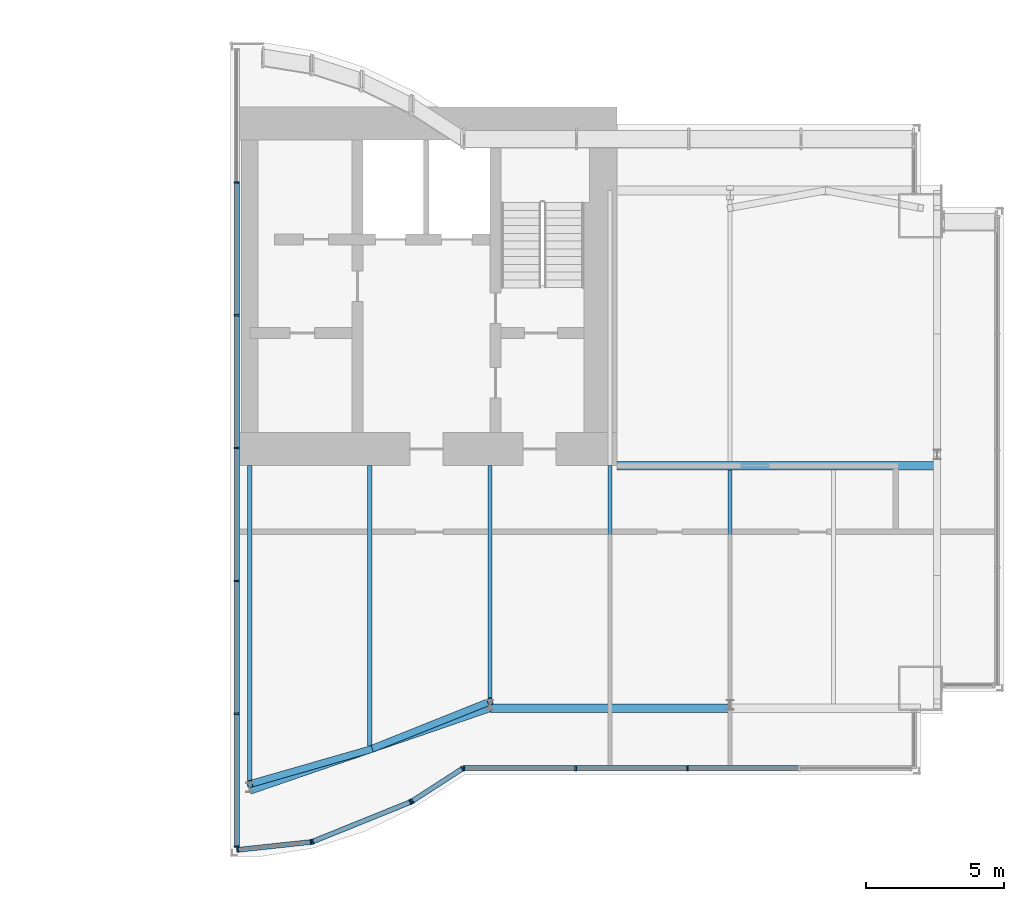
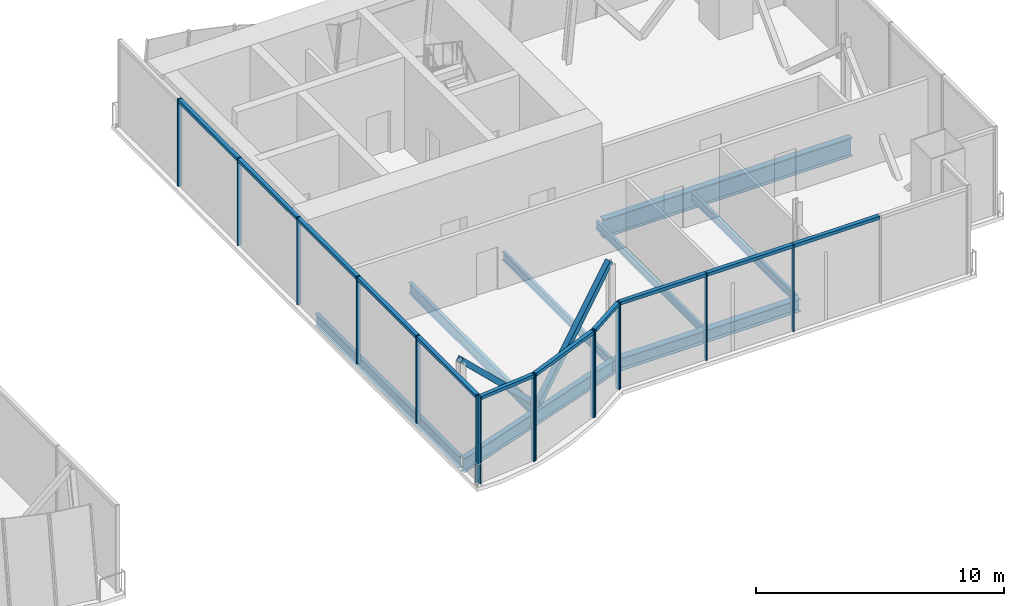
# One storey, part 5 of 14: 28 members, 8 beams, 3 elements without a shape of their own.
"""IFC4 building model written with IfcOpenShell, lengths in metres."""

from ifc_helpers import new_model, si_unit, direction, frame, origin, origin_2d, place, context, subcontext, project, spatial, rectangle, hollow_rectangle, i_section, extrude, material, material_profile, profile_set, type_object, element, aggregate, save


model = new_model("IFC4")

# Units and contexts
model_context = context("Model", 3, precision=1e-05, world=origin(), true_north=direction((0.0, 1.0)))
body_context = subcontext(model_context, "Body", "Model", "MODEL_VIEW")
ifc_project = project(units=[si_unit("LENGTHUNIT", "METRE"), si_unit("AREAUNIT", "SQUARE_METRE"), si_unit("VOLUMEUNIT", "CUBIC_METRE"), si_unit("PLANEANGLEUNIT", "RADIAN"), si_unit("MASSUNIT", "GRAM", prefix="KILO")], contexts=[model_context])

# Site, building, storey
site_placement = place(None, origin())
site = spatial("IfcSite", under=ifc_project, at=site_placement, CompositionType="ELEMENT")
building_placement = place(site_placement, origin())
building = spatial("IfcBuilding", under=site, at=building_placement, Name="Bicima Exchange Tower", CompositionType="ELEMENT")
storey_placement = place(building_placement, frame((0.0, 0.0, 352.39990234375)))
storey = spatial("IfcBuildingStorey", under=building, at=storey_placement, Name="L79", CompositionType="ELEMENT", Elevation=352.39990234375)

# Beam
ifc_material_1 = material(Name="Steel ASTM A992 Gr 50", Category="steel")
ifc_material_profile_1 = material_profile(ifc_material_1, i_section(OverallWidth=0.3046875, OverallDepth=0.911865234375, WebThickness=0.015869140625, FlangeThickness=0.02392578125, at=origin_2d()))
ifc_profile_set_1 = profile_set([ifc_material_profile_1], Name="Steel ASTM A992 Gr 50")
beam_type_1 = type_object("IfcBeamType", Name="Core-line girder W36x150", PredefinedType="BEAM", material=ifc_profile_set_1)
beam_1_placement = place(storey_placement, frame((22.0, -13.0, -0.65576171875), z_axis=(1.0, 0.0, 0.0), x_axis=(0.0, 1.0, 0.0)))
element("IfcBeam", 1, at=beam_1_placement, inside=storey, type_object=beam_type_1, Name="Core-line girder", PredefinedType="BEAM", context=body_context, shape_type="SweptSolid", body=[
    extrude(i_section(OverallWidth=0.3046875, OverallDepth=0.911865234375, WebThickness=0.015869140625, FlangeThickness=0.02392578125, at=origin_2d()), origin(), (0.0, 0.0, 1.0), 11.60009765625),
])

# Curtain wall, members
ifc_material_2 = material(Name="Anodised bronze aluminium", Category="aluminium")
curtain_wall_type = type_object("IfcCurtainWallType", Name="Crown glass wall", PredefinedType="NOTDEFINED", material=ifc_material_2)
curtain_wall_1_placement = place(storey_placement, origin())
curtain_wall_1 = element("IfcCurtainWall", 2, at=curtain_wall_1_placement, inside=storey, type_object=curtain_wall_type, Name="Crown glass wall L79 run 8", PredefinedType="NOTDEFINED")
ifc_material_profile_2 = material_profile(ifc_material_2, rectangle(XDim=0.179931640625, YDim=0.06005859375, at=origin_2d()))
ifc_profile_set_2 = profile_set([ifc_material_profile_2], Name="Anodised bronze aluminium")
member_type_1 = type_object("IfcMemberType", Name="Crown glass wall mullion 60 x 180", PredefinedType="MULLION", material=ifc_profile_set_2)
member_1_placement = place(storey_placement, frame((8.22998046875, -2.741455078125, 0.0), z_axis=(0.0, 0.0, 1.0), x_axis=(1.0, 0.0, 0.0)))
member_1 = element("IfcMember", 3, at=member_1_placement, type_object=member_type_1, Name="Crown glass wall mullion 2", PredefinedType="MULLION", context=body_context, shape_type="SweptSolid", body=[
    extrude(rectangle(XDim=0.179931640625, YDim=0.06005859375, at=origin_2d()), origin(), (0.0, 0.0, 1.0), 4.300048828125),
])
member_2_placement = place(storey_placement, frame((8.22998046875, -7.55322265625, 0.0), z_axis=(0.0, 0.0, 1.0), x_axis=(1.0, 0.0, 0.0)))
member_2 = element("IfcMember", 4, at=member_2_placement, type_object=member_type_1, Name="Crown glass wall mullion 3", PredefinedType="MULLION", context=body_context, shape_type="SweptSolid", body=[
    extrude(rectangle(XDim=0.179931640625, YDim=0.06005859375, at=origin_2d()), origin(), (0.0, 0.0, 1.0), 4.300048828125),
])
member_3_placement = place(storey_placement, frame((8.22998046875, -12.365234375, 0.0), z_axis=(0.0, 0.0, 1.0), x_axis=(1.0, 0.0, 0.0)))
member_3 = element("IfcMember", 5, at=member_3_placement, type_object=member_type_1, Name="Crown glass wall mullion 4", PredefinedType="MULLION", context=body_context, shape_type="SweptSolid", body=[
    extrude(rectangle(XDim=0.179931640625, YDim=0.06005859375, at=origin_2d()), origin(), (0.0, 0.0, 1.0), 4.300048828125),
])
member_4_placement = place(storey_placement, frame((8.22998046875, -17.17724609375, 0.0), z_axis=(0.0, 0.0, 1.0), x_axis=(1.0, 0.0, 0.0)))
member_4 = element("IfcMember", 6, at=member_4_placement, type_object=member_type_1, Name="Crown glass wall mullion 5", PredefinedType="MULLION", context=body_context, shape_type="SweptSolid", body=[
    extrude(rectangle(XDim=0.179931640625, YDim=0.06005859375, at=origin_2d()), origin(), (0.0, 0.0, 1.0), 4.300048828125),
])
member_5_placement = place(storey_placement, frame((8.22998046875, -21.989013671875, 0.0), z_axis=(0.0, 0.0, 1.0), x_axis=(1.0, 0.0, 0.0)))
member_5 = element("IfcMember", 7, at=member_5_placement, type_object=member_type_1, Name="Crown glass wall mullion 6", PredefinedType="MULLION", context=body_context, shape_type="SweptSolid", body=[
    extrude(rectangle(XDim=0.179931640625, YDim=0.06005859375, at=origin_2d()), origin(), (0.0, 0.0, 1.0), 4.300048828125),
])
member_6_placement = place(storey_placement, frame((8.22998046875, -26.801025390625, 0.0), z_axis=(0.0, 0.0, 1.0), x_axis=(1.0, 0.0, 0.0)))
member_6 = element("IfcMember", 8, at=member_6_placement, type_object=member_type_1, Name="Crown glass wall mullion 7", PredefinedType="MULLION", context=body_context, shape_type="SweptSolid", body=[
    extrude(rectangle(XDim=0.179931640625, YDim=0.06005859375, at=origin_2d()), origin(), (0.0, 0.0, 1.0), 4.300048828125),
])

curtain_wall_2_placement = place(storey_placement, origin())
curtain_wall_2 = element("IfcCurtainWall", 9, at=curtain_wall_2_placement, inside=storey, type_object=curtain_wall_type, Name="Crown glass wall L79 run 9", PredefinedType="NOTDEFINED")
member_7_placement = place(storey_placement, frame((8.259765625, -26.917724609375, 0.0), z_axis=(0.0, 0.0, 1.0), x_axis=(-0.106371668434, 0.994326439433, 0.0)))
member_7 = element("IfcMember", 10, at=member_7_placement, type_object=member_type_1, Name="Crown glass wall mullion 1", PredefinedType="MULLION", context=body_context, shape_type="SweptSolid", body=[
    extrude(rectangle(XDim=0.179931640625, YDim=0.06005859375, at=origin_2d()), origin(), (0.0, 0.0, 1.0), 4.300048828125),
])
member_8_placement = place(storey_placement, frame((10.916015625, -26.633544921875, 0.0), z_axis=(0.0, 0.0, 1.0), x_axis=(-0.106371668434, 0.994326439433, 0.0)))
member_8 = element("IfcMember", 11, at=member_8_placement, type_object=member_type_1, Name="Crown glass wall mullion 2", PredefinedType="MULLION", context=body_context, shape_type="SweptSolid", body=[
    extrude(rectangle(XDim=0.179931640625, YDim=0.06005859375, at=origin_2d()), origin(), (0.0, 0.0, 1.0), 4.300048828125),
])
member_9_placement = place(storey_placement, frame((10.973876953125, -26.619140625, 0.0), z_axis=(0.0, 0.0, 1.0), x_axis=(-0.374705304, 0.92714396679, 0.0)))
member_9 = element("IfcMember", 12, at=member_9_placement, type_object=member_type_1, Name="Crown glass wall mullion 1", PredefinedType="MULLION", context=body_context, shape_type="SweptSolid", body=[
    extrude(rectangle(XDim=0.179931640625, YDim=0.06005859375, at=origin_2d()), origin(), (0.0, 0.0, 1.0), 4.300048828125),
])
member_10_placement = place(storey_placement, frame((14.52587890625, -25.18359375, 0.0), z_axis=(0.0, 0.0, 1.0), x_axis=(-0.374705304, 0.92714396679, 0.0)))
member_10 = element("IfcMember", 13, at=member_10_placement, type_object=member_type_1, Name="Crown glass wall mullion 2", PredefinedType="MULLION", context=body_context, shape_type="SweptSolid", body=[
    extrude(rectangle(XDim=0.179931640625, YDim=0.06005859375, at=origin_2d()), origin(), (0.0, 0.0, 1.0), 4.300048828125),
])
member_11_placement = place(storey_placement, frame((14.578857421875, -25.156005859375, 0.0), z_axis=(0.0, 0.0, 1.0), x_axis=(-0.542910648791, 0.839790466384, 0.0)))
member_11 = element("IfcMember", 14, at=member_11_placement, type_object=member_type_1, Name="Crown glass wall mullion 1", PredefinedType="MULLION", context=body_context, shape_type="SweptSolid", body=[
    extrude(rectangle(XDim=0.179931640625, YDim=0.06005859375, at=origin_2d()), origin(), (0.0, 0.0, 1.0), 4.300048828125),
])
member_12_placement = place(storey_placement, frame((16.406982421875, -23.974365234375, 0.0), z_axis=(0.0, 0.0, 1.0), x_axis=(-0.542910648791, 0.839790466384, 0.0)))
member_12 = element("IfcMember", 15, at=member_12_placement, type_object=member_type_1, Name="Crown glass wall mullion 2", PredefinedType="MULLION", context=body_context, shape_type="SweptSolid", body=[
    extrude(rectangle(XDim=0.179931640625, YDim=0.06005859375, at=origin_2d()), origin(), (0.0, 0.0, 1.0), 4.300048828125),
])

curtain_wall_3_placement = place(storey_placement, origin())
curtain_wall_3 = element("IfcCurtainWall", 16, at=curtain_wall_3_placement, inside=storey, type_object=curtain_wall_type, Name="Crown glass wall L79 run 12", PredefinedType="NOTDEFINED")
member_13_placement = place(storey_placement, frame((16.462158203125, -23.9580078125, 0.0), z_axis=(0.0, 0.0, 1.0), x_axis=(0.0, 1.0, 0.0)))
member_13 = element("IfcMember", 17, at=member_13_placement, type_object=member_type_1, Name="Crown glass wall mullion 1", PredefinedType="MULLION", context=body_context, shape_type="SweptSolid", body=[
    extrude(rectangle(XDim=0.179931640625, YDim=0.06005859375, at=origin_2d()), origin(), (0.0, 0.0, 1.0), 4.300048828125),
])
member_14_placement = place(storey_placement, frame((20.509033203125, -23.9580078125, 0.0), z_axis=(0.0, 0.0, 1.0), x_axis=(0.0, 1.0, 0.0)))
member_14 = element("IfcMember", 18, at=member_14_placement, type_object=member_type_1, Name="Crown glass wall mullion 2", PredefinedType="MULLION", context=body_context, shape_type="SweptSolid", body=[
    extrude(rectangle(XDim=0.179931640625, YDim=0.06005859375, at=origin_2d()), origin(), (0.0, 0.0, 1.0), 4.300048828125),
])
member_15_placement = place(storey_placement, frame((24.55615234375, -23.9580078125, 0.0), z_axis=(0.0, 0.0, 1.0), x_axis=(0.0, 1.0, 0.0)))
member_15 = element("IfcMember", 19, at=member_15_placement, type_object=member_type_1, Name="Crown glass wall mullion 3", PredefinedType="MULLION", context=body_context, shape_type="SweptSolid", body=[
    extrude(rectangle(XDim=0.179931640625, YDim=0.06005859375, at=origin_2d()), origin(), (0.0, 0.0, 1.0), 4.300048828125),
])

# Member
ifc_material_profile_3 = material_profile(ifc_material_2, rectangle(XDim=0.179931640625, YDim=0.159912109375, at=origin_2d()))
ifc_profile_set_3 = profile_set([ifc_material_profile_3], Name="Anodised bronze aluminium")
member_type_2 = type_object("IfcMemberType", Name="Crown glass wall transom 160 x 180", PredefinedType="USERDEFINED", material=ifc_profile_set_3)
member_16_placement = place(storey_placement, frame((8.22998046875, -2.771484375, 4.22021484375), z_axis=(0.0, -1.0, 0.0), x_axis=(1.0, 0.0, 0.0)))
member_16 = element("IfcMember", 20, at=member_16_placement, type_object=member_type_2, Name="Crown glass wall transom 2.1", ObjectType="TRANSOM", PredefinedType="USERDEFINED", context=body_context, shape_type="SweptSolid", body=[
    extrude(rectangle(XDim=0.179931640625, YDim=0.159912109375, at=origin_2d()), origin(), (0.0, 0.0, 1.0), 4.751708984375),
])

member_17_placement = place(storey_placement, frame((8.22998046875, -7.583251953125, 4.22021484375), z_axis=(0.0, -1.0, 0.0), x_axis=(1.0, 0.0, 0.0)))
member_17 = element("IfcMember", 21, at=member_17_placement, type_object=member_type_2, Name="Crown glass wall transom 3.1", ObjectType="TRANSOM", PredefinedType="USERDEFINED", context=body_context, shape_type="SweptSolid", body=[
    extrude(rectangle(XDim=0.179931640625, YDim=0.159912109375, at=origin_2d()), origin(), (0.0, 0.0, 1.0), 4.751953125),
])

member_18_placement = place(storey_placement, frame((8.22998046875, -12.395263671875, 4.22021484375), z_axis=(0.0, -1.0, 0.0), x_axis=(1.0, 0.0, 0.0)))
member_18 = element("IfcMember", 22, at=member_18_placement, type_object=member_type_2, Name="Crown glass wall transom 4.1", ObjectType="TRANSOM", PredefinedType="USERDEFINED", context=body_context, shape_type="SweptSolid", body=[
    extrude(rectangle(XDim=0.179931640625, YDim=0.159912109375, at=origin_2d()), origin(), (0.0, 0.0, 1.0), 4.751953125),
])

member_19_placement = place(storey_placement, frame((8.22998046875, -17.207275390625, 4.22021484375), z_axis=(0.0, -1.0, 0.0), x_axis=(1.0, 0.0, 0.0)))
member_19 = element("IfcMember", 23, at=member_19_placement, type_object=member_type_2, Name="Crown glass wall transom 5.1", ObjectType="TRANSOM", PredefinedType="USERDEFINED", context=body_context, shape_type="SweptSolid", body=[
    extrude(rectangle(XDim=0.179931640625, YDim=0.159912109375, at=origin_2d()), origin(), (0.0, 0.0, 1.0), 4.751708984375),
])

member_20_placement = place(storey_placement, frame((8.22998046875, -22.01904296875, 4.22021484375), z_axis=(0.0, -1.0, 0.0), x_axis=(1.0, 0.0, 0.0)))
member_20 = element("IfcMember", 24, at=member_20_placement, type_object=member_type_2, Name="Crown glass wall transom 6.1", ObjectType="TRANSOM", PredefinedType="USERDEFINED", context=body_context, shape_type="SweptSolid", body=[
    extrude(rectangle(XDim=0.179931640625, YDim=0.159912109375, at=origin_2d()), origin(), (0.0, 0.0, 1.0), 4.751953125),
])

aggregate(curtain_wall_1, [member_1, member_2, member_3, member_4, member_5, member_6, member_16, member_17, member_18, member_19, member_20])

member_21_placement = place(storey_placement, frame((8.289794921875, -26.91455078125, 4.22021484375), z_axis=(0.994323646517, 0.106397772425, 0.0), x_axis=(-0.106397772425, 0.994323646517, 0.0)))
member_21 = element("IfcMember", 25, at=member_21_placement, type_object=member_type_2, Name="Crown glass wall transom 1.1", ObjectType="TRANSOM", PredefinedType="USERDEFINED", context=body_context, shape_type="SweptSolid", body=[
    extrude(rectangle(XDim=0.179931640625, YDim=0.159912109375, at=origin_2d()), origin(), (0.0, 0.0, 1.0), 2.611328125),
])

member_22_placement = place(storey_placement, frame((11.001708984375, -26.60791015625, 4.22021484375), z_axis=(0.927140215882, 0.374714584842, 0.0), x_axis=(-0.374714584842, 0.927140215882, 0.0)))
member_22 = element("IfcMember", 26, at=member_22_placement, type_object=member_type_2, Name="Crown glass wall transom 1.1", ObjectType="TRANSOM", PredefinedType="USERDEFINED", context=body_context, shape_type="SweptSolid", body=[
    extrude(rectangle(XDim=0.179931640625, YDim=0.159912109375, at=origin_2d()), origin(), (0.0, 0.0, 1.0), 3.77099609375),
])

member_23_placement = place(storey_placement, frame((14.60400390625, -25.139892578125, 4.22021484375), z_axis=(0.839740302602, 0.542988235771, 0.0), x_axis=(-0.542988235771, 0.839740302602, 0.0)))
member_23 = element("IfcMember", 27, at=member_23_placement, type_object=member_type_2, Name="Crown glass wall transom 1.1", ObjectType="TRANSOM", PredefinedType="USERDEFINED", context=body_context, shape_type="SweptSolid", body=[
    extrude(rectangle(XDim=0.179931640625, YDim=0.159912109375, at=origin_2d()), origin(), (0.0, 0.0, 1.0), 2.116943359375),
])

aggregate(curtain_wall_2, [member_7, member_8, member_21, member_9, member_10, member_22, member_11, member_12, member_23])

member_24_placement = place(storey_placement, frame((16.4921875, -23.9580078125, 4.22021484375), z_axis=(1.0, 0.0, 0.0), x_axis=(0.0, 1.0, 0.0)))
member_24 = element("IfcMember", 28, at=member_24_placement, type_object=member_type_2, Name="Crown glass wall transom 1.1", ObjectType="TRANSOM", PredefinedType="USERDEFINED", context=body_context, shape_type="SweptSolid", body=[
    extrude(rectangle(XDim=0.179931640625, YDim=0.159912109375, at=origin_2d()), origin(), (0.0, 0.0, 1.0), 3.98681640625),
])

member_25_placement = place(storey_placement, frame((20.5390625, -23.9580078125, 4.22021484375), z_axis=(1.0, 0.0, 0.0), x_axis=(0.0, 1.0, 0.0)))
member_25 = element("IfcMember", 29, at=member_25_placement, type_object=member_type_2, Name="Crown glass wall transom 2.1", ObjectType="TRANSOM", PredefinedType="USERDEFINED", context=body_context, shape_type="SweptSolid", body=[
    extrude(rectangle(XDim=0.179931640625, YDim=0.159912109375, at=origin_2d()), origin(), (0.0, 0.0, 1.0), 3.987060546875),
])

member_26_placement = place(storey_placement, frame((24.586181640625, -23.9580078125, 4.22021484375), z_axis=(1.0, 0.0, 0.0), x_axis=(0.0, 1.0, 0.0)))
member_26 = element("IfcMember", 30, at=member_26_placement, type_object=member_type_2, Name="Crown glass wall transom 3.1", ObjectType="TRANSOM", PredefinedType="USERDEFINED", context=body_context, shape_type="SweptSolid", body=[
    extrude(rectangle(XDim=0.179931640625, YDim=0.159912109375, at=origin_2d()), origin(), (0.0, 0.0, 1.0), 3.98681640625),
])

aggregate(curtain_wall_3, [member_13, member_14, member_15, member_24, member_25, member_26])

# Beams
ifc_material_profile_4 = material_profile(ifc_material_1, i_section(OverallWidth=0.140380859375, OverallDepth=0.40380859375, WebThickness=0.007080078125, FlangeThickness=0.01123046875, at=origin_2d()))
ifc_profile_set_4 = profile_set([ifc_material_profile_4], Name="Steel ASTM A992 Gr 50")
beam_type_2 = type_object("IfcBeamType", Name="Floor beam W16x31", PredefinedType="JOIST", material=ifc_profile_set_4)
beam_2_placement = place(storey_placement, frame((17.39990234375, -13.0, -0.40185546875), z_axis=(0.0, -1.0, 0.0), x_axis=(1.0, 0.0, 0.0)))
element("IfcBeam", 31, at=beam_2_placement, inside=storey, type_object=beam_type_2, Name="Floor beam", PredefinedType="JOIST", context=body_context, shape_type="SweptSolid", body=[
    extrude(i_section(OverallWidth=0.140380859375, OverallDepth=0.40380859375, WebThickness=0.007080078125, FlangeThickness=0.01123046875, at=origin_2d()), origin(), (0.0, 0.0, 1.0), 8.65234375),
])
beam_3_placement = place(storey_placement, frame((21.75, -13.0, -0.40185546875), z_axis=(0.0, -1.0, 0.0), x_axis=(1.0, 0.0, 0.0)))
element("IfcBeam", 32, at=beam_3_placement, inside=storey, type_object=beam_type_2, Name="Floor beam", PredefinedType="JOIST", context=body_context, shape_type="SweptSolid", body=[
    extrude(i_section(OverallWidth=0.140380859375, OverallDepth=0.40380859375, WebThickness=0.007080078125, FlangeThickness=0.01123046875, at=origin_2d()), origin(), (0.0, 0.0, 1.0), 8.62548828125),
])
beam_4_placement = place(storey_placement, frame((26.10009765625, -13.15234375, -0.40185546875), z_axis=(0.0, -1.0, 0.0), x_axis=(1.0, 0.0, 0.0)))
element("IfcBeam", 33, at=beam_4_placement, inside=storey, type_object=beam_type_2, Name="Floor beam", PredefinedType="JOIST", context=body_context, shape_type="SweptSolid", body=[
    extrude(i_section(OverallWidth=0.140380859375, OverallDepth=0.40380859375, WebThickness=0.007080078125, FlangeThickness=0.01123046875, at=origin_2d()), origin(), (0.0, 0.0, 1.0), 8.47314453125),
])
ifc_material_profile_5 = material_profile(ifc_material_1, i_section(OverallWidth=0.165771484375, OverallDepth=0.5283203125, WebThickness=0.009765625, FlangeThickness=0.013671875, at=origin_2d()))
ifc_profile_set_5 = profile_set([ifc_material_profile_5], Name="Steel ASTM A992 Gr 50")
beam_type_3 = type_object("IfcBeamType", Name="Floor beam W21x50", PredefinedType="JOIST", material=ifc_profile_set_5)
beam_5_placement = place(storey_placement, frame((13.050048828125, -13.0, -0.464111328125), z_axis=(0.0, -1.0, 0.0), x_axis=(1.0, 0.0, 0.0)))
element("IfcBeam", 34, at=beam_5_placement, inside=storey, type_object=beam_type_3, Name="Floor beam", PredefinedType="JOIST", context=body_context, shape_type="SweptSolid", body=[
    extrude(i_section(OverallWidth=0.165771484375, OverallDepth=0.5283203125, WebThickness=0.009765625, FlangeThickness=0.013671875, at=origin_2d()), origin(), (0.0, 0.0, 1.0), 10.14794921875),
])
ifc_material_profile_6 = material_profile(ifc_material_1, i_section(OverallWidth=0.177978515625, OverallDepth=0.599365234375, WebThickness=0.010009765625, FlangeThickness=0.012939453125, at=origin_2d()))
ifc_profile_set_6 = profile_set([ifc_material_profile_6], Name="Steel ASTM A992 Gr 50")
beam_type_4 = type_object("IfcBeamType", Name="Floor beam W24x55", PredefinedType="JOIST", material=ifc_profile_set_6)
beam_6_placement = place(storey_placement, frame((8.699951171875, -13.0, -0.49951171875), z_axis=(0.0, -1.0, 0.0), x_axis=(1.0, 0.0, 0.0)))
element("IfcBeam", 35, at=beam_6_placement, inside=storey, type_object=beam_type_4, Name="Floor beam", PredefinedType="JOIST", context=body_context, shape_type="SweptSolid", body=[
    extrude(i_section(OverallWidth=0.177978515625, OverallDepth=0.599365234375, WebThickness=0.010009765625, FlangeThickness=0.012939453125, at=origin_2d()), origin(), (0.0, 0.0, 1.0), 11.643310546875),
])
ifc_material_profile_7 = material_profile(ifc_material_1, i_section(OverallWidth=0.3251953125, OverallDepth=0.612060546875, WebThickness=0.0126953125, FlangeThickness=0.01904296875, at=origin_2d()))
ifc_profile_set_7 = profile_set([ifc_material_profile_7], Name="Steel ASTM A992 Gr 50")
beam_type_5 = type_object("IfcBeamType", Name="Front girder W24x104", PredefinedType="BEAM", material=ifc_profile_set_7)
beam_7_placement = place(storey_placement, frame((17.39990234375, -21.7880859375, -0.506103515625), z_axis=(1.0, 0.0, 0.0), x_axis=(0.0, 1.0, 0.0)))
element("IfcBeam", 36, at=beam_7_placement, inside=storey, type_object=beam_type_5, Name="Front girder", PredefinedType="BEAM", context=body_context, shape_type="SweptSolid", body=[
    extrude(i_section(OverallWidth=0.3251953125, OverallDepth=0.612060546875, WebThickness=0.0126953125, FlangeThickness=0.01904296875, at=origin_2d()), origin(), (0.0, 0.0, 1.0), 8.7001953125),
])
ifc_material_profile_8 = material_profile(ifc_material_1, i_section(OverallWidth=0.256591796875, OverallDepth=0.693359375, WebThickness=0.014404296875, FlangeThickness=0.023681640625, at=origin_2d()))
ifc_profile_set_8 = profile_set([ifc_material_profile_8], Name="Steel ASTM A992 Gr 50")
beam_type_6 = type_object("IfcBeamType", Name="Front girder W27x114", PredefinedType="BEAM", material=ifc_profile_set_8)
beam_8_placement = place(storey_placement, frame((8.699951171875, -24.779052734375, -0.546630859375), z_axis=(0.945674616091, 0.32511462668, 0.0), x_axis=(-0.32511462668, 0.945674616091, 0.0)))
element("IfcBeam", 37, at=beam_8_placement, inside=storey, type_object=beam_type_6, Name="Front girder", PredefinedType="BEAM", context=body_context, shape_type="SweptSolid", body=[
    extrude(i_section(OverallWidth=0.256591796875, OverallDepth=0.693359375, WebThickness=0.014404296875, FlangeThickness=0.023681640625, at=origin_2d()), origin(), (0.0, 0.0, 1.0), 9.19970703125),
])

# Members
ifc_material_3 = material(Name="Steel ASTM A572 Gr 50", Category="steel")
ifc_material_profile_9 = material_profile(ifc_material_3, hollow_rectangle(XDim=0.25390625, YDim=0.25390625, WallThickness=0.01171875, at=origin_2d()))
ifc_profile_set_9 = profile_set([ifc_material_profile_9], Name="Steel ASTM A572 Gr 50")
member_type_3 = type_object("IfcMemberType", Name="Mega brace HSS10x10x1/2", PredefinedType="BRACE", material=ifc_profile_set_9)
member_27_placement = place(storey_placement, frame((13.050048828125, -23.283447265625, 0.0), z_axis=(0.669627633412, 0.267783402821, 0.692741569234), x_axis=(-0.371309808925, 0.928509033772, 0.0)))
element("IfcMember", 38, at=member_27_placement, inside=storey, type_object=member_type_3, Name="Mega brace front", PredefinedType="BRACE", context=body_context, shape_type="SweptSolid", body=[
    extrude(hollow_rectangle(XDim=0.25390625, YDim=0.25390625, WallThickness=0.01171875, at=origin_2d()), origin(), (0.0, 0.0, 1.0), 6.495849609375),
])
member_28_placement = place(storey_placement, frame((13.050048828125, -23.283447265625, 0.0), z_axis=(-0.681534473108, -0.196106591291, 0.705019834343), x_axis=(0.276522876258, -0.961007335511, 0.0)))
element("IfcMember", 39, at=member_28_placement, inside=storey, type_object=member_type_3, Name="Mega brace front", PredefinedType="BRACE", context=body_context, shape_type="SweptSolid", body=[
    extrude(hollow_rectangle(XDim=0.25390625, YDim=0.25390625, WallThickness=0.01171875, at=origin_2d()), origin(), (0.0, 0.0, 1.0), 6.3828125),
])

save(model, "model.ifc")
